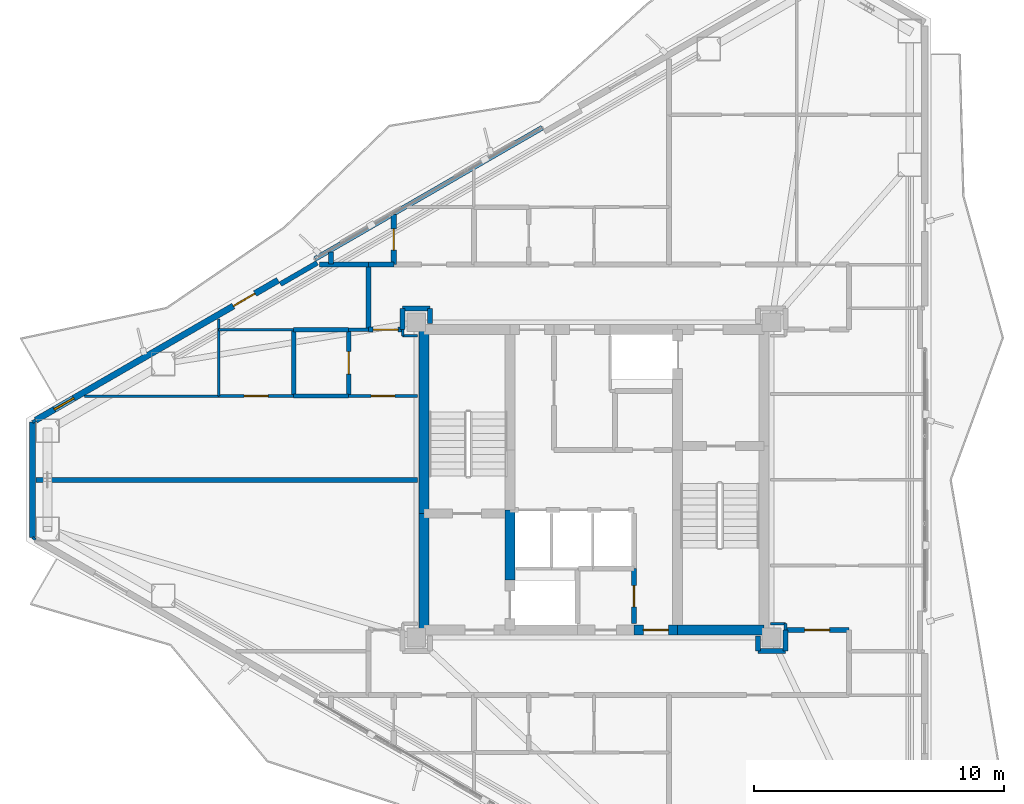
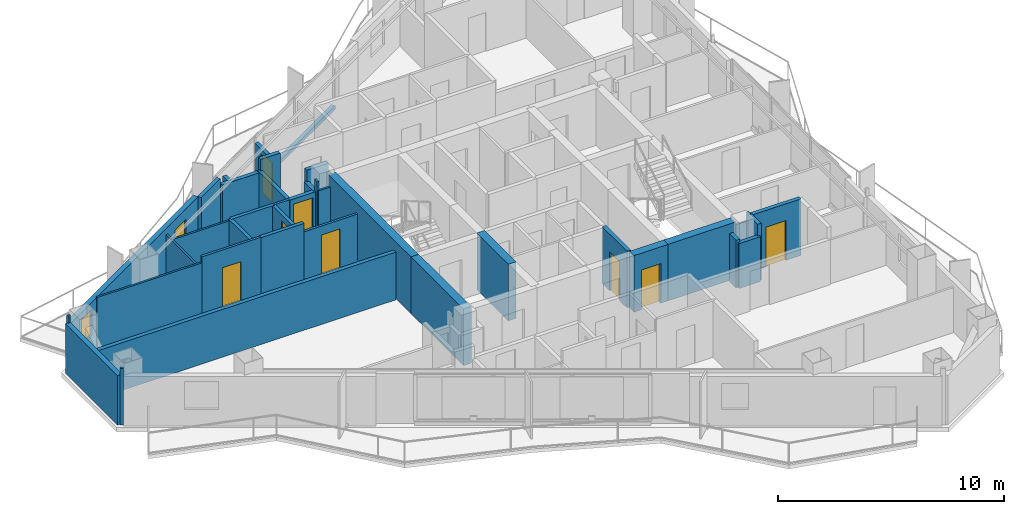
# One storey, part 13 of 18: 40 walls, 9 doors, 1 window, 10 openings.
"""IFC4 building model written with IfcOpenShell, lengths in metres."""

from ifc_helpers import new_model, si_unit, direction, frame, frame_2d, origin, place, context, subcontext, project, spatial, rectangle, extrude, material, layer, layer_set, type_object, element, fill, save


model = new_model("IFC4")

# Units and contexts
model_context = context("Model", 3, precision=1e-05, world=origin(), true_north=direction((0.0, 1.0)))
body_context = subcontext(model_context, "Body", "Model", "MODEL_VIEW")
ifc_project = project(units=[si_unit("LENGTHUNIT", "METRE"), si_unit("AREAUNIT", "SQUARE_METRE"), si_unit("VOLUMEUNIT", "CUBIC_METRE"), si_unit("PLANEANGLEUNIT", "RADIAN"), si_unit("MASSUNIT", "GRAM", prefix="KILO")], contexts=[model_context])

# Site, building, storey
site_placement = place(None, origin())
site = spatial("IfcSite", under=ifc_project, at=site_placement, CompositionType="ELEMENT")
building_placement = place(site_placement, origin())
building = spatial("IfcBuilding", under=site, at=building_placement, Name="Mersakhor Tower and Convention Hall", CompositionType="ELEMENT")
storey_placement = place(building_placement, frame((0.0, 0.0, 150.89990234375)))
storey = spatial("IfcBuildingStorey", under=building, at=storey_placement, Name="L42", CompositionType="ELEMENT", Elevation=150.89990234375)

# Wall
ifc_material_1 = material(Name="Precast concrete C40/50", Category="concrete")
ifc_layer_1 = layer(ifc_material_1, 0.25)
ifc_layer_set_1 = layer_set([ifc_layer_1], Name="Precast concrete C40/50")
wall_type_1 = type_object("IfcWallType", Name="WL-EXT-250", PredefinedType="SOLIDWALL", material=ifc_layer_set_1)
wall_1_placement = place(storey_placement, frame((6.560302734375, 24.44140625, 0.0), z_axis=(0.0, 0.0, 1.0), x_axis=(0.0, 1.0, 0.0)))
element("IfcWall", 1, at=wall_1_placement, inside=storey, type_object=wall_type_1, Name="L42 Chamfer Braced Spandrel Wall C3", PredefinedType="SOLIDWALL", context=body_context, shape_type="SweptSolid", body=[
    extrude(rectangle(XDim=4.6171875, YDim=0.25, at=frame_2d((2.30859375, 0.0))), origin(), (0.0, 0.0, 1.0), 2.68017578125),
])

# Wall, openings, door, window
wall_2_placement = place(storey_placement, frame((6.690185546875, 29.1337890625, 0.0), z_axis=(0.0, 0.0, 1.0), x_axis=(0.866027848477, 0.499995765644, 0.0)))
wall_2 = element("IfcWall", 2, at=wall_2_placement, inside=storey, type_object=wall_type_1, Name="L42 Exterior Facade Wall F1-B1", PredefinedType="SOLIDWALL", context=body_context, shape_type="SweptSolid", body=[
    extrude(rectangle(XDim=11.18603515625, YDim=0.25, at=frame_2d((5.593017578125, 0.0))), origin(), (0.0, 0.0, 1.0), 2.68017578125),
])
opening_1_placement = place(wall_2_placement, frame((9.1220703125, 0.0, 0.0)))
opening_1 = element("IfcOpeningElement", 3, at=opening_1_placement, cuts=wall_2, Name="Opening BD-01", PredefinedType="OPENING", context=body_context, shape_type="SweptSolid", body=[
    extrude(rectangle(XDim=1.0, YDim=2.10009765625, at=frame_2d((0.5, 1.050048828125))), frame((0.0, 0.135009765625, 0.0), z_axis=(0.0, -1.0, 0.0), x_axis=(1.0, 0.0, 0.0)), (0.0, 0.0, 1.0), 0.27001953125),
])
opening_2_placement = place(wall_2_placement, frame((0.860107421875, 0.0, 0.89990234375)))
opening_2 = element("IfcOpeningElement", 4, at=opening_2_placement, cuts=wall_2, Name="Opening W-06", PredefinedType="OPENING", context=body_context, shape_type="SweptSolid", body=[
    extrude(rectangle(XDim=0.89990234375, YDim=1.39990234375, at=frame_2d((0.449951171875, 0.699951171875))), frame((0.0, 0.135009765625, 0.0), z_axis=(0.0, -1.0, 0.0), x_axis=(1.0, 0.0, 0.0)), (0.0, 0.0, 1.0), 0.27001953125),
])
ifc_material_2 = material(Name="Thermally broken dark aluminium and safety glass", Category="aluminium")
door_type_1 = type_object("IfcDoorType", Name="DR-BAL-100x210", OperationType="NOTDEFINED", PredefinedType="DOOR", material=ifc_material_2)
door_1_placement = place(opening_1_placement, origin())
door_1 = element("IfcDoor", 5, at=door_1_placement, inside=storey, type_object=door_type_1, Name="L42 Balcony Terrace Door F1-B1", OperationType="SINGLE_SWING_LEFT", OverallHeight=2.10009765625, OverallWidth=1.0, PredefinedType="DOOR", context=body_context, shape_type="SweptSolid", body=[
    extrude(rectangle(XDim=1.0, YDim=2.10009765625, at=frame_2d((0.5, 1.050048828125))), frame((0.0, 0.02490234375, 0.0), z_axis=(0.0, -1.0, 0.0), x_axis=(1.0, 0.0, 0.0)), (0.0, 0.0, 1.0), 0.050048828125),
])
fill(opening_1, door_1)
ifc_material_3 = material(Name="Dark solar low-E glazed aluminium window", Category="aluminium")
window_type = type_object("IfcWindowType", Name="WN-STD-090x140", PartitioningType="SINGLE_PANEL", PredefinedType="WINDOW", material=ifc_material_3)
window_placement = place(opening_2_placement, origin())
window = element("IfcWindow", 6, at=window_placement, inside=storey, type_object=window_type, Name="L42 Bedroom Facade Window F1-B1-1", OverallHeight=1.39990234375, OverallWidth=0.89990234375, PartitioningType="SINGLE_PANEL", PredefinedType="WINDOW", context=body_context, shape_type="SweptSolid", body=[
    extrude(rectangle(XDim=0.89990234375, YDim=1.39990234375, at=frame_2d((0.449951171875, 0.699951171875))), frame((0.0, 0.030029296875, 0.0), z_axis=(0.0, -1.0, 0.0), x_axis=(1.0, 0.0, 0.0)), (0.0, 0.0, 1.0), 0.06005859375),
])
fill(opening_2, window)

# Walls
ifc_material_4 = material(Name="Precast concrete C40/50", Category="concrete")
ifc_layer_2 = layer(ifc_material_4, 0.199951171875)
ifc_layer_set_2 = layer_set([ifc_layer_2], Name="Precast concrete C40/50")
wall_type_2 = type_object("IfcWallType", Name="WL-PAR-200", PredefinedType="PARAPET", material=ifc_layer_set_2)
wall_3_placement = place(storey_placement, frame((17.849853515625, 35.57666015625, 0.0), z_axis=(0.0, 0.0, 1.0), x_axis=(0.866026619769, 0.499997893847, 0.0)))
element("IfcWall", 7, at=wall_3_placement, inside=storey, type_object=wall_type_2, Name="L42 Curtain Wall Upstand Sill F1-B2", PredefinedType="PARAPET", context=body_context, shape_type="SweptSolid", body=[
    extrude(rectangle(XDim=10.48583984375, YDim=0.199951171875, at=frame_2d((5.242919921875, 0.0))), origin(), (0.0, 0.0, 1.0), 0.2001953125),
])
wall_4_placement = place(storey_placement, frame((16.467529296875, 34.57080078125, 0.0), z_axis=(0.0, 0.0, 1.0), x_axis=(0.865989465428, 0.500062241894, 0.0)))
element("IfcWall", 8, at=wall_4_placement, inside=storey, type_object=wall_type_2, Name="L42 Column Pier Cladding Wall F1-C1", PredefinedType="PARAPET", context=body_context, shape_type="SweptSolid", body=[
    extrude(rectangle(XDim=1.699951171875, YDim=0.199951171875, at=frame_2d((0.85009765625, 0.0))), origin(), (0.0, 0.0, 1.0), 2.68017578125),
])

# Wall, opening, door
ifc_material_5 = material(Name="Moisture-resistant acoustic drywall studwork", Category="other")
ifc_layer_3 = layer(ifc_material_5, 0.175048828125)
ifc_layer_set_3 = layer_set([ifc_layer_3], Name="Moisture-resistant acoustic drywall studwork")
wall_type_3 = type_object("IfcWallType", Name="WL-PLM-175", PredefinedType="PLUMBINGWALL", material=ifc_layer_set_3)
wall_5_placement = place(storey_placement, frame((19.199951171875, 30.10009765625, 0.0), z_axis=(0.0, 0.0, 1.0), x_axis=(0.0, 1.0, 0.0)))
wall_5 = element("IfcWall", 9, at=wall_5_placement, inside=storey, type_object=wall_type_3, Name="L42 Interior Partition Wall P-060", PredefinedType="PLUMBINGWALL", context=body_context, shape_type="SweptSolid", body=[
    extrude(rectangle(XDim=2.64990234375, YDim=0.175048828125, at=frame_2d((1.324951171875, 0.0))), origin(), (0.0, 0.0, 1.0), 2.432861328125),
])
opening_3_placement = place(wall_5_placement, frame((0.875, 0.0, 0.0)))
opening_3 = element("IfcOpeningElement", 10, at=opening_3_placement, cuts=wall_5, Name="Opening WD-01", PredefinedType="OPENING", context=body_context, shape_type="SweptSolid", body=[
    extrude(rectangle(XDim=0.89990234375, YDim=2.10009765625, at=frame_2d((0.449951171875, 1.050048828125))), frame((0.0, 0.097412109375, 0.0), z_axis=(0.0, -1.0, 0.0), x_axis=(1.0, 0.0, 0.0)), (0.0, 0.0, 1.0), 0.195068359375),
])
ifc_material_6 = material(Name="Solid-core hardwood leaf in painted steel frame", Category="steel")
door_type_2 = type_object("IfcDoorType", Name="DR-INT-WET-090x210", OperationType="NOTDEFINED", PredefinedType="DOOR", material=ifc_material_6)
door_2_placement = place(opening_3_placement, origin())
door_2 = element("IfcDoor", 11, at=door_2_placement, inside=storey, type_object=door_type_2, Name="L42 L42 Flat W5 Apartment Hall to L42 Flat W5 Bathroom Door", OperationType="SINGLE_SWING_LEFT", OverallHeight=2.10009765625, OverallWidth=0.89990234375, PredefinedType="DOOR", context=body_context, shape_type="SweptSolid", body=[
    extrude(rectangle(XDim=0.89990234375, YDim=2.10009765625, at=frame_2d((0.449951171875, 1.050048828125))), frame((0.0, 0.02490234375, 0.0), z_axis=(0.0, -1.0, 0.0), x_axis=(1.0, 0.0, 0.0)), (0.0, 0.0, 1.0), 0.050048828125),
])
fill(opening_3, door_2)

# Walls
wall_6_placement = place(storey_placement, frame((17.0, 32.75, 0.0), z_axis=(0.0, 0.0, 1.0), x_axis=(1.0, 0.0, 0.0)))
element("IfcWall", 12, at=wall_6_placement, inside=storey, type_object=wall_type_3, Name="L42 Interior Partition Wall P-071", PredefinedType="PLUMBINGWALL", context=body_context, shape_type="SweptSolid", body=[
    extrude(rectangle(XDim=2.199951171875, YDim=0.175048828125, at=frame_2d((1.10009765625, 0.0))), origin(), (0.0, 0.0, 1.0), 2.432861328125),
])
wall_7_placement = place(storey_placement, frame((19.199951171875, 30.10009765625, 0.0), z_axis=(0.0, 0.0, 1.0), x_axis=(-1.0, 0.0, 0.0)))
element("IfcWall", 13, at=wall_7_placement, inside=storey, type_object=wall_type_3, Name="L42 Interior Partition Wall P-072", PredefinedType="PLUMBINGWALL", context=body_context, shape_type="SweptSolid", body=[
    extrude(rectangle(XDim=2.199951171875, YDim=0.175048828125, at=frame_2d((1.10009765625, 0.0))), origin(), (0.0, 0.0, 1.0), 3.06005859375),
])
wall_8_placement = place(storey_placement, frame((17.0, 30.10009765625, 0.0), z_axis=(0.0, 0.0, 1.0), x_axis=(0.0, 1.0, 0.0)))
element("IfcWall", 14, at=wall_8_placement, inside=storey, type_object=wall_type_3, Name="L42 Interior Partition Wall P-073", PredefinedType="PLUMBINGWALL", context=body_context, shape_type="SweptSolid", body=[
    extrude(rectangle(XDim=2.64990234375, YDim=0.175048828125, at=frame_2d((1.324951171875, 0.0))), origin(), (0.0, 0.0, 1.0), 2.432861328125),
])
ifc_material_7 = material(Name="Lightweight gypsum partition", Category="other")
ifc_layer_4 = layer(ifc_material_7, 0.10009765625)
ifc_layer_set_4 = layer_set([ifc_layer_4], Name="Lightweight gypsum partition")
wall_type_4 = type_object("IfcWallType", Name="WL-PRT-100", PredefinedType="PARTITIONING", material=ifc_layer_set_4)
wall_9_placement = place(storey_placement, frame((21.35009765625, 32.5, 0.0), z_axis=(0.0, 0.0, 1.0), x_axis=(1.0, 0.0, 0.0)))
element("IfcWall", 15, at=wall_9_placement, inside=storey, type_object=wall_type_4, Name="L42 Interior Partition Wall P-058", PredefinedType="PARTITIONING", context=body_context, shape_type="SweptSolid", body=[
    extrude(rectangle(XDim=0.599853515625, YDim=0.10009765625, at=frame_2d((0.2998046875, 0.0))), origin(), (0.0, 0.0, 1.0), 2.585205078125),
])
wall_10_placement = place(storey_placement, frame((21.35009765625, 32.75, 0.0), z_axis=(0.0, 0.0, 1.0), x_axis=(0.0, -1.0, 0.0)))
element("IfcWall", 16, at=wall_10_placement, inside=storey, type_object=wall_type_4, Name="L42 Interior Partition Wall P-062", PredefinedType="PARTITIONING", context=body_context, shape_type="SweptSolid", body=[
    extrude(rectangle(XDim=0.25, YDim=0.10009765625, at=frame_2d((0.125, 0.0))), origin(), (0.0, 0.0, 1.0), 3.06005859375),
])
wall_11_placement = place(storey_placement, frame((14.0, 32.75, 0.0), z_axis=(0.0, 0.0, 1.0), x_axis=(1.0, 0.0, 0.0)))
element("IfcWall", 17, at=wall_11_placement, inside=storey, type_object=wall_type_4, Name="L42 Interior Partition Wall P-074", PredefinedType="PARTITIONING", context=body_context, shape_type="SweptSolid", body=[
    extrude(rectangle(XDim=3.0, YDim=0.10009765625, at=frame_2d((1.5, 0.0))), origin(), (0.0, 0.0, 1.0), 2.364990234375),
])
wall_12_placement = place(storey_placement, frame((14.0, 30.10009765625, 0.0), z_axis=(0.0, 0.0, 1.0), x_axis=(0.0, 1.0, 0.0)))
element("IfcWall", 18, at=wall_12_placement, inside=storey, type_object=wall_type_4, Name="L42 Interior Partition Wall P-076", PredefinedType="PARTITIONING", context=body_context, shape_type="SweptSolid", body=[
    extrude(rectangle(XDim=3.081787109375, YDim=0.10009765625, at=frame_2d((1.541015625, 0.0))), origin(), (0.0, 0.0, 1.0), 2.364990234375),
])
wall_13_placement = place(storey_placement, frame((6.68994140625, 24.365966796875, 0.0), z_axis=(0.0, 0.0, 1.0), x_axis=(-0.866131372301, 0.499816412211, 0.0)))
element("IfcWall", 19, at=wall_13_placement, inside=storey, type_object=wall_type_4, Name="L42 Interior Partition Wall P-094", PredefinedType="PARTITIONING", context=body_context, shape_type="SweptSolid", body=[
    extrude(rectangle(XDim=0.14990234375, YDim=0.10009765625, at=frame_2d((0.074951171875, 0.0))), origin(), (0.0, 0.0, 1.0), 3.06005859375),
])
wall_14_placement = place(storey_placement, frame((36.64990234375, 21.0, 0.0), z_axis=(0.0, 0.0, 1.0), x_axis=(-1.0, 0.0, 0.0)))
element("IfcWall", 20, at=wall_14_placement, inside=storey, type_object=wall_type_4, Name="L42 Interior Partition Wall P-096", PredefinedType="PARTITIONING", context=body_context, shape_type="SweptSolid", body=[
    extrude(rectangle(XDim=0.599853515625, YDim=0.10009765625, at=frame_2d((0.2998046875, 0.0))), origin(), (0.0, 0.0, 1.0), 2.585205078125),
])
wall_15_placement = place(storey_placement, frame((8.634765625, 30.10009765625, 0.0), z_axis=(0.0, 0.0, 1.0), x_axis=(1.0, 0.0, 0.0)))
element("IfcWall", 21, at=wall_15_placement, inside=storey, type_object=wall_type_4, Name="L42 Interior Partition Wall P-116", PredefinedType="PARTITIONING", context=body_context, shape_type="SweptSolid", body=[
    extrude(rectangle(XDim=5.365234375, YDim=0.10009765625, at=frame_2d((2.6826171875, 0.0))), origin(), (0.0, 0.0, 1.0), 2.724609375),
])

# Wall, opening, door
ifc_material_8 = material(Name="Gypsum board acoustic partition", Category="other")
ifc_layer_5 = layer(ifc_material_8, 0.125)
ifc_layer_set_5 = layer_set([ifc_layer_5], Name="Gypsum board acoustic partition")
wall_type_5 = type_object("IfcWallType", Name="WL-PRT-125", PredefinedType="PARTITIONING", material=ifc_layer_set_5)
wall_16_placement = place(storey_placement, frame((21.949951171875, 30.10009765625, 0.0), z_axis=(0.0, 0.0, 1.0), x_axis=(-1.0, 0.0, 0.0)))
wall_16 = element("IfcWall", 22, at=wall_16_placement, inside=storey, type_object=wall_type_5, Name="L42 Interior Partition Wall P-059", PredefinedType="PARTITIONING", context=body_context, shape_type="SweptSolid", body=[
    extrude(rectangle(XDim=2.75, YDim=0.125, at=frame_2d((1.375, 0.0))), origin(), (0.0, 0.0, 1.0), 2.585205078125),
])
opening_4_placement = place(wall_16_placement, frame((0.89990234375, 0.0, 0.0)))
opening_4 = element("IfcOpeningElement", 23, at=opening_4_placement, cuts=wall_16, Name="Opening RD-01", PredefinedType="OPENING", context=body_context, shape_type="SweptSolid", body=[
    extrude(rectangle(XDim=0.949951171875, YDim=2.10009765625, at=frame_2d((0.47509765625, 1.050048828125))), frame((0.0, 0.072509765625, 0.0), z_axis=(0.0, -1.0, 0.0), x_axis=(1.0, 0.0, 0.0)), (0.0, 0.0, 1.0), 0.14501953125),
])
ifc_material_9 = material(Name="Solid-core hardwood leaf in painted steel frame", Category="steel")
door_type_3 = type_object("IfcDoorType", Name="DR-INT-RM-095x210", OperationType="NOTDEFINED", PredefinedType="DOOR", material=ifc_material_9)
door_3_placement = place(opening_4_placement, origin())
door_3 = element("IfcDoor", 24, at=door_3_placement, inside=storey, type_object=door_type_3, Name="L42 L42 Flat W5 Apartment Hall to L42 Flat W5 Studio Living and Sleeping Room Door", OperationType="SINGLE_SWING_RIGHT", OverallHeight=2.10009765625, OverallWidth=0.949951171875, PredefinedType="DOOR", context=body_context, shape_type="SweptSolid", body=[
    extrude(rectangle(XDim=0.949951171875, YDim=2.10009765625, at=frame_2d((0.47509765625, 1.050048828125))), frame((0.0, 0.02490234375, 0.0), z_axis=(0.0, -1.0, 0.0), x_axis=(1.0, 0.0, 0.0)), (0.0, 0.0, 1.0), 0.050048828125),
])
fill(opening_4, door_3)

# Wall
wall_17_placement = place(storey_placement, frame((19.199951171875, 32.75, 0.0), z_axis=(0.0, 0.0, 1.0), x_axis=(1.0, 0.0, 0.0)))
element("IfcWall", 25, at=wall_17_placement, inside=storey, type_object=wall_type_5, Name="L42 Interior Partition Wall P-061", PredefinedType="PARTITIONING", context=body_context, shape_type="SweptSolid", body=[
    extrude(rectangle(XDim=0.800048828125, YDim=0.125, at=frame_2d((0.39990234375, 0.0))), origin(), (0.0, 0.0, 1.0), 2.432861328125),
])

# Wall, opening, door
wall_18_placement = place(storey_placement, frame((17.0, 30.10009765625, 0.0), z_axis=(0.0, 0.0, 1.0), x_axis=(-1.0, 0.0, 0.0)))
wall_18 = element("IfcWall", 26, at=wall_18_placement, inside=storey, type_object=wall_type_5, Name="L42 Interior Partition Wall P-075", PredefinedType="PARTITIONING", context=body_context, shape_type="SweptSolid", body=[
    extrude(rectangle(XDim=3.0, YDim=0.125, at=frame_2d((1.5, 0.0))), origin(), (0.0, 0.0, 1.0), 3.06005859375),
])
opening_5_placement = place(wall_18_placement, frame((1.02490234375, 0.0, 0.0)))
opening_5 = element("IfcOpeningElement", 27, at=opening_5_placement, cuts=wall_18, Name="Opening RD-01", PredefinedType="OPENING", context=body_context, shape_type="SweptSolid", body=[
    extrude(rectangle(XDim=0.949951171875, YDim=2.10009765625, at=frame_2d((0.47509765625, 1.050048828125))), frame((0.0, 0.072509765625, 0.0), z_axis=(0.0, -1.0, 0.0), x_axis=(1.0, 0.0, 0.0)), (0.0, 0.0, 1.0), 0.14501953125),
])
door_4_placement = place(opening_5_placement, origin())
door_4 = element("IfcDoor", 28, at=door_4_placement, inside=storey, type_object=door_type_3, Name="L42 L42 Flat W5 Kitchen to L42 Flat W5 Studio Living and Sleeping Room Door", OperationType="SINGLE_SWING_LEFT", OverallHeight=2.10009765625, OverallWidth=0.949951171875, PredefinedType="DOOR", context=body_context, shape_type="SweptSolid", body=[
    extrude(rectangle(XDim=0.949951171875, YDim=2.10009765625, at=frame_2d((0.47509765625, 1.050048828125))), frame((0.0, 0.02490234375, 0.0), z_axis=(0.0, -1.0, 0.0), x_axis=(1.0, 0.0, 0.0)), (0.0, 0.0, 1.0), 0.050048828125),
])
fill(opening_5, door_4)

# Walls
wall_19_placement = place(storey_placement, frame((36.64990234375, 20.75, 0.0), z_axis=(0.0, 0.0, 1.0), x_axis=(0.0, 1.0, 0.0)))
element("IfcWall", 29, at=wall_19_placement, inside=storey, type_object=wall_type_5, Name="L42 Interior Partition Wall P-095", PredefinedType="PARTITIONING", context=body_context, shape_type="SweptSolid", body=[
    extrude(rectangle(XDim=0.25, YDim=0.125, at=frame_2d((0.125, 0.0))), origin(), (0.0, 0.0, 1.0), 3.06005859375),
])
wall_20_placement = place(storey_placement, frame((6.56005859375, 29.05908203125, 0.0), z_axis=(0.0, 0.0, 1.0), x_axis=(0.866131372301, 0.499816412211, 0.0)))
element("IfcWall", 30, at=wall_20_placement, inside=storey, type_object=wall_type_5, Name="L42 Interior Partition Wall P-117", PredefinedType="PARTITIONING", context=body_context, shape_type="SweptSolid", body=[
    extrude(rectangle(XDim=0.14990234375, YDim=0.125, at=frame_2d((0.074951171875, 0.0))), origin(), (0.0, 0.0, 1.0), 3.06005859375),
])

# Wall, opening, door
ifc_material_10 = material(Name="Acoustic concrete blockwork and gypsum board", Category="masonry")
ifc_layer_6 = layer(ifc_material_10, 0.199951171875)
ifc_layer_set_6 = layer_set([ifc_layer_6], Name="Acoustic concrete blockwork and gypsum board")
wall_type_6 = type_object("IfcWallType", Name="WL-PRT-200", PredefinedType="PARTITIONING", material=ifc_layer_set_6)
wall_21_placement = place(storey_placement, frame((30.60009765625, 21.0, 0.0), z_axis=(0.0, 0.0, 1.0), x_axis=(0.0, 1.0, 0.0)))
wall_21 = element("IfcWall", 31, at=wall_21_placement, inside=storey, type_object=wall_type_6, Name="L42 Interior Partition Wall P-012", PredefinedType="PARTITIONING", context=body_context, shape_type="SweptSolid", body=[
    extrude(rectangle(XDim=2.199951171875, YDim=0.199951171875, at=frame_2d((1.10009765625, 0.0))), origin(), (0.0, 0.0, 1.0), 3.06005859375),
])
opening_6_placement = place(wall_21_placement, frame((0.675048828125, 0.0, 0.0)))
opening_6 = element("IfcOpeningElement", 32, at=opening_6_placement, cuts=wall_21, Name="Opening SVD-01", PredefinedType="OPENING", context=body_context, shape_type="SweptSolid", body=[
    extrude(rectangle(XDim=0.85009765625, YDim=2.10009765625, at=frame_2d((0.425048828125, 1.050048828125))), frame((0.0, 0.10986328125, 0.0), z_axis=(0.0, -1.0, 0.0), x_axis=(1.0, 0.0, 0.0)), (0.0, 0.0, 1.0), 0.219970703125),
])
ifc_material_11 = material(Name="Fire-rated hardwood leaf and painted steel frame", Category="steel")
door_type_4 = type_object("IfcDoorType", Name="DR-INT-SVC-085x210", OperationType="NOTDEFINED", PredefinedType="DOOR", material=ifc_material_11)
door_5_placement = place(opening_6_placement, origin())
door_5 = element("IfcDoor", 33, at=door_5_placement, inside=storey, type_object=door_type_4, Name="L42 Central Passenger Lift Lobby to Electrical Switchroom Door", OperationType="SINGLE_SWING_LEFT", OverallHeight=2.10009765625, OverallWidth=0.85009765625, PredefinedType="DOOR", context=body_context, shape_type="SweptSolid", body=[
    extrude(rectangle(XDim=0.85009765625, YDim=2.10009765625, at=frame_2d((0.425048828125, 1.050048828125))), frame((0.0, 0.02490234375, 0.0), z_axis=(0.0, -1.0, 0.0), x_axis=(1.0, 0.0, 0.0)), (0.0, 0.0, 1.0), 0.050048828125),
])
fill(opening_6, door_5)

# Walls
wall_22_placement = place(storey_placement, frame((22.449951171875, 33.0, 0.0), z_axis=(0.0, 0.0, 1.0), x_axis=(0.0, 1.0, 0.0)))
element("IfcWall", 34, at=wall_22_placement, inside=storey, type_object=wall_type_6, Name="L42 Interior Partition Wall P-017", PredefinedType="PARTITIONING", context=body_context, shape_type="SweptSolid", body=[
    extrude(rectangle(XDim=0.60009765625, YDim=0.199951171875, at=frame_2d((0.300048828125, 0.0))), origin(), (0.0, 0.0, 1.0), 2.585205078125),
])
wall_23_placement = place(storey_placement, frame((22.449951171875, 33.60009765625, 0.0), z_axis=(0.0, 0.0, 1.0), x_axis=(-1.0, 0.0, 0.0)))
element("IfcWall", 35, at=wall_23_placement, inside=storey, type_object=wall_type_6, Name="L42 Interior Partition Wall P-018", PredefinedType="PARTITIONING", context=body_context, shape_type="SweptSolid", body=[
    extrude(rectangle(XDim=1.099853515625, YDim=0.199951171875, at=frame_2d((0.5498046875, 0.0))), origin(), (0.0, 0.0, 1.0), 3.06005859375),
])
wall_24_placement = place(storey_placement, frame((21.35009765625, 33.60009765625, 0.0), z_axis=(0.0, 0.0, 1.0), x_axis=(0.0, -1.0, 0.0)))
element("IfcWall", 36, at=wall_24_placement, inside=storey, type_object=wall_type_6, Name="L42 Interior Partition Wall P-019", PredefinedType="PARTITIONING", context=body_context, shape_type="SweptSolid", body=[
    extrude(rectangle(XDim=0.85009765625, YDim=0.199951171875, at=frame_2d((0.425048828125, 0.0))), origin(), (0.0, 0.0, 1.0), 2.432861328125),
])

# Wall, opening, door
wall_25_placement = place(storey_placement, frame((21.35009765625, 32.75, 0.0), z_axis=(0.0, 0.0, 1.0), x_axis=(-1.0, 0.0, 0.0)))
wall_25 = element("IfcWall", 37, at=wall_25_placement, inside=storey, type_object=wall_type_6, Name="L42 Interior Partition Wall P-020", PredefinedType="PARTITIONING", context=body_context, shape_type="SweptSolid", body=[
    extrude(rectangle(XDim=1.35009765625, YDim=0.199951171875, at=frame_2d((0.675048828125, 0.0))), origin(), (0.0, 0.0, 1.0), 2.432861328125),
])
opening_7_placement = place(wall_25_placement, frame((0.175048828125, 0.0, 0.0)))
opening_7 = element("IfcOpeningElement", 38, at=opening_7_placement, cuts=wall_25, Name="Opening FD-01", PredefinedType="OPENING", context=body_context, shape_type="SweptSolid", body=[
    extrude(rectangle(XDim=1.0, YDim=2.14990234375, at=frame_2d((0.5, 1.074951171875))), frame((0.0, 0.10986328125, 0.0), z_axis=(0.0, -1.0, 0.0), x_axis=(1.0, 0.0, 0.0)), (0.0, 0.0, 1.0), 0.219970703125),
])
ifc_material_12 = material(Name="Fire-rated hardwood leaf and painted steel frame", Category="steel")
door_type_5 = type_object("IfcDoorType", Name="DR-INT-FLT-100x215", OperationType="NOTDEFINED", PredefinedType="DOOR", material=ifc_material_12)
door_6_placement = place(opening_7_placement, origin())
door_6 = element("IfcDoor", 39, at=door_6_placement, inside=storey, type_object=door_type_5, Name="L42 Apartment Entrance Door (Residential North Gallery Corridor to L42 Flat W5 Apartment Hall)", OperationType="SINGLE_SWING_LEFT", OverallHeight=2.14990234375, OverallWidth=1.0, PredefinedType="DOOR", context=body_context, shape_type="SweptSolid", body=[
    extrude(rectangle(XDim=1.0, YDim=2.14990234375, at=frame_2d((0.5, 1.074951171875))), frame((0.0, 0.02490234375, 0.0), z_axis=(0.0, -1.0, 0.0), x_axis=(1.0, 0.0, 0.0)), (0.0, 0.0, 1.0), 0.050048828125),
])
fill(opening_7, door_6)

# Walls
wall_26_placement = place(storey_placement, frame((20.0, 32.75, 0.0), z_axis=(0.0, 0.0, 1.0), x_axis=(0.0, 1.0, 0.0)))
element("IfcWall", 40, at=wall_26_placement, inside=storey, type_object=wall_type_6, Name="L42 Interior Partition Wall P-021", PredefinedType="PARTITIONING", context=body_context, shape_type="SweptSolid", body=[
    extrude(rectangle(XDim=2.60009765625, YDim=0.199951171875, at=frame_2d((1.300048828125, 0.0))), origin(), (0.0, 0.0, 1.0), 2.432861328125),
])
wall_27_placement = place(storey_placement, frame((20.0, 35.35009765625, 0.0), z_axis=(0.0, 0.0, 1.0), x_axis=(1.0, 0.0, 0.0)))
element("IfcWall", 41, at=wall_27_placement, inside=storey, type_object=wall_type_6, Name="L42 Interior Partition Wall P-022", PredefinedType="PARTITIONING", context=body_context, shape_type="SweptSolid", body=[
    extrude(rectangle(XDim=1.0, YDim=0.199951171875, at=frame_2d((0.5, 0.0))), origin(), (0.0, 0.0, 1.0), 3.06005859375),
])
wall_28_placement = place(storey_placement, frame((35.550048828125, 20.5, 0.0), z_axis=(0.0, 0.0, 1.0), x_axis=(0.0, -1.0, 0.0)))
element("IfcWall", 42, at=wall_28_placement, inside=storey, type_object=wall_type_6, Name="L42 Interior Partition Wall P-035", PredefinedType="PARTITIONING", context=body_context, shape_type="SweptSolid", body=[
    extrude(rectangle(XDim=0.60009765625, YDim=0.199951171875, at=frame_2d((0.300048828125, 0.0))), origin(), (0.0, 0.0, 1.0), 2.585205078125),
])
wall_29_placement = place(storey_placement, frame((35.550048828125, 19.89990234375, 0.0), z_axis=(0.0, 0.0, 1.0), x_axis=(1.0, 0.0, 0.0)))
element("IfcWall", 43, at=wall_29_placement, inside=storey, type_object=wall_type_6, Name="L42 Interior Partition Wall P-036", PredefinedType="PARTITIONING", context=body_context, shape_type="SweptSolid", body=[
    extrude(rectangle(XDim=1.099853515625, YDim=0.199951171875, at=frame_2d((0.5498046875, 0.0))), origin(), (0.0, 0.0, 1.0), 2.432861328125),
])
wall_30_placement = place(storey_placement, frame((36.64990234375, 19.89990234375, 0.0), z_axis=(0.0, 0.0, 1.0), x_axis=(0.0, 1.0, 0.0)))
element("IfcWall", 44, at=wall_30_placement, inside=storey, type_object=wall_type_6, Name="L42 Interior Partition Wall P-037", PredefinedType="PARTITIONING", context=body_context, shape_type="SweptSolid", body=[
    extrude(rectangle(XDim=0.85009765625, YDim=0.199951171875, at=frame_2d((0.425048828125, 0.0))), origin(), (0.0, 0.0, 1.0), 3.06005859375),
])

# Wall, opening, door
wall_31_placement = place(storey_placement, frame((36.64990234375, 20.75, 0.0), z_axis=(0.0, 0.0, 1.0), x_axis=(1.0, 0.0, 0.0)))
wall_31 = element("IfcWall", 45, at=wall_31_placement, inside=storey, type_object=wall_type_6, Name="L42 Interior Partition Wall P-038", PredefinedType="PARTITIONING", context=body_context, shape_type="SweptSolid", body=[
    extrude(rectangle(XDim=2.550048828125, YDim=0.199951171875, at=frame_2d((1.27490234375, 0.0))), origin(), (0.0, 0.0, 1.0), 3.06005859375),
])
opening_8_placement = place(wall_31_placement, frame((0.77490234375, 0.0, 0.0)))
opening_8 = element("IfcOpeningElement", 46, at=opening_8_placement, cuts=wall_31, Name="Opening FD-01", PredefinedType="OPENING", context=body_context, shape_type="SweptSolid", body=[
    extrude(rectangle(XDim=1.0, YDim=2.14990234375, at=frame_2d((0.5, 1.074951171875))), frame((0.0, 0.10986328125, 0.0), z_axis=(0.0, -1.0, 0.0), x_axis=(1.0, 0.0, 0.0)), (0.0, 0.0, 1.0), 0.219970703125),
])
door_7_placement = place(opening_8_placement, origin())
door_7 = element("IfcDoor", 47, at=door_7_placement, inside=storey, type_object=door_type_5, Name="L42 Residential South Gallery Corridor to L42 East Wing Shared Study Room Door", OperationType="SINGLE_SWING_LEFT", OverallHeight=2.14990234375, OverallWidth=1.0, PredefinedType="DOOR", context=body_context, shape_type="SweptSolid", body=[
    extrude(rectangle(XDim=1.0, YDim=2.14990234375, at=frame_2d((0.5, 1.074951171875))), frame((0.0, 0.02490234375, 0.0), z_axis=(0.0, -1.0, 0.0), x_axis=(1.0, 0.0, 0.0)), (0.0, 0.0, 1.0), 0.050048828125),
])
fill(opening_8, door_7)

# Walls
wall_32_placement = place(storey_placement, frame((6.709228515625, 26.75, 0.0), z_axis=(0.0, 0.0, 1.0), x_axis=(1.0, 0.0, 0.0)))
element("IfcWall", 48, at=wall_32_placement, inside=storey, type_object=wall_type_6, Name="L42 Interior Partition Wall P-090", PredefinedType="PARTITIONING", context=body_context, shape_type="SweptSolid", body=[
    extrude(rectangle(XDim=15.24072265625, YDim=0.199951171875, at=frame_2d((7.620361328125, 0.0))), origin(), (0.0, 0.0, 1.0), 2.585205078125),
])
wall_33_placement = place(storey_placement, frame((20.0, 35.35009765625, 0.0), z_axis=(0.0, 0.0, 1.0), x_axis=(-1.0, 0.0, 0.0)))
element("IfcWall", 49, at=wall_33_placement, inside=storey, type_object=wall_type_6, Name="L42 Interior Partition Wall P-106", PredefinedType="PARTITIONING", context=body_context, shape_type="SweptSolid", body=[
    extrude(rectangle(XDim=1.95751953125, YDim=0.199951171875, at=frame_2d((0.978759765625, 0.0))), origin(), (0.0, 0.0, 1.0), 2.364990234375),
])
wall_34_placement = place(storey_placement, frame((18.5, 35.3798828125, 0.0), z_axis=(0.0, 0.0, 1.0), x_axis=(0.0, 1.0, 0.0)))
element("IfcWall", 50, at=wall_34_placement, inside=storey, type_object=wall_type_6, Name="L42 Interior Partition Wall P-107", PredefinedType="PARTITIONING", context=body_context, shape_type="SweptSolid", body=[
    extrude(rectangle(XDim=0.46826171875, YDim=0.199951171875, at=frame_2d((0.234130859375, 0.0))), origin(), (0.0, 0.0, 1.0), 2.364990234375),
])

# Wall, opening, door
wall_35_placement = place(storey_placement, frame((21.0, 37.3515625, 0.0), z_axis=(0.0, 0.0, 1.0), x_axis=(0.0, -1.0, 0.0)))
wall_35 = element("IfcWall", 51, at=wall_35_placement, inside=storey, type_object=wall_type_6, Name="L42 Interior Partition Wall P-108", PredefinedType="PARTITIONING", context=body_context, shape_type="SweptSolid", body=[
    extrude(rectangle(XDim=2.00146484375, YDim=0.199951171875, at=frame_2d((1.000732421875, 0.0))), origin(), (0.0, 0.0, 1.0), 2.364990234375),
])
opening_9_placement = place(wall_35_placement, frame((0.57568359375, 0.0, 0.0)))
opening_9 = element("IfcOpeningElement", 52, at=opening_9_placement, cuts=wall_35, Name="Opening SVD-01", PredefinedType="OPENING", context=body_context, shape_type="SweptSolid", body=[
    extrude(rectangle(XDim=0.85009765625, YDim=2.10009765625, at=frame_2d((0.425048828125, 1.050048828125))), frame((0.0, 0.10986328125, 0.0), z_axis=(0.0, -1.0, 0.0), x_axis=(1.0, 0.0, 0.0)), (0.0, 0.0, 1.0), 0.219970703125),
])
door_8_placement = place(opening_9_placement, origin())
door_8 = element("IfcDoor", 53, at=door_8_placement, inside=storey, type_object=door_type_4, Name="L42 L42 Floor Household Store Room 1-1 to L42 Floor Shared Tea Pantry 1-2 Door", OperationType="SINGLE_SWING_LEFT", OverallHeight=2.10009765625, OverallWidth=0.85009765625, PredefinedType="DOOR", context=body_context, shape_type="SweptSolid", body=[
    extrude(rectangle(XDim=0.85009765625, YDim=2.10009765625, at=frame_2d((0.425048828125, 1.050048828125))), frame((0.0, 0.02490234375, 0.0), z_axis=(0.0, -1.0, 0.0), x_axis=(1.0, 0.0, 0.0)), (0.0, 0.0, 1.0), 0.050048828125),
])
fill(opening_9, door_8)

# Walls
ifc_material_13 = material(Name="Concrete C60/75", Category="concrete")
ifc_layer_7 = layer(ifc_material_13, 0.39990234375)
ifc_layer_set_7 = layer_set([ifc_layer_7], Name="Concrete C60/75")
wall_type_7 = type_object("IfcWallType", Name="WL-SHR-400", PredefinedType="SHEAR", material=ifc_layer_set_7)
wall_36_placement = place(storey_placement, frame((22.199951171875, 20.75, 0.0), z_axis=(0.0, 0.0, 1.0), x_axis=(0.0, 1.0, 0.0)))
element("IfcWall", 54, at=wall_36_placement, inside=storey, type_object=wall_type_7, Name="L42 Core Wall CW-W1", PredefinedType="SHEAR", context=body_context, shape_type="SweptSolid", body=[
    extrude(rectangle(XDim=4.64990234375, YDim=0.39990234375, at=frame_2d((2.324951171875, 0.0))), origin(), (0.0, 0.0, 1.0), 3.06005859375),
])
wall_37_placement = place(storey_placement, frame((22.199951171875, 25.39990234375, 0.0), z_axis=(0.0, 0.0, 1.0), x_axis=(0.0, 1.0, 0.0)))
element("IfcWall", 55, at=wall_37_placement, inside=storey, type_object=wall_type_7, Name="L42 Core Wall CW-W2", PredefinedType="SHEAR", context=body_context, shape_type="SweptSolid", body=[
    extrude(rectangle(XDim=7.35009765625, YDim=0.39990234375, at=frame_2d((3.675048828125, 0.0))), origin(), (0.0, 0.0, 1.0), 3.06005859375),
])
wall_38_placement = place(storey_placement, frame((35.800048828125, 20.75, 0.0), z_axis=(0.0, 0.0, 1.0), x_axis=(-1.0, 0.0, 0.0)))
element("IfcWall", 56, at=wall_38_placement, inside=storey, type_object=wall_type_7, Name="L42 Core Wall CW-S1", PredefinedType="SHEAR", context=body_context, shape_type="SweptSolid", body=[
    extrude(rectangle(XDim=3.449951171875, YDim=0.39990234375, at=frame_2d((1.72509765625, 0.0))), origin(), (0.0, 0.0, 1.0), 3.06005859375),
])

# Wall, opening, door
wall_39_placement = place(storey_placement, frame((32.35009765625, 20.75, 0.0), z_axis=(0.0, 0.0, 1.0), x_axis=(-1.0, 0.0, 0.0)))
wall_39 = element("IfcWall", 57, at=wall_39_placement, inside=storey, type_object=wall_type_7, Name="L42 Core Wall CW-S2A", PredefinedType="SHEAR", context=body_context, shape_type="SweptSolid", body=[
    extrude(rectangle(XDim=1.75, YDim=0.39990234375, at=frame_2d((0.875, 0.0))), origin(), (0.0, 0.0, 1.0), 3.06005859375),
])
opening_10_placement = place(wall_39_placement, frame((0.375, 0.0, 0.0)))
opening_10 = element("IfcOpeningElement", 58, at=opening_10_placement, cuts=wall_39, Name="Opening CFD-01", PredefinedType="OPENING", context=body_context, shape_type="SweptSolid", body=[
    extrude(rectangle(XDim=1.0, YDim=2.14990234375, at=frame_2d((0.5, 1.074951171875))), frame((0.0, 0.2099609375, 0.0), z_axis=(0.0, -1.0, 0.0), x_axis=(1.0, 0.0, 0.0)), (0.0, 0.0, 1.0), 0.419921875),
])
ifc_material_14 = material(Name="Fire-rated hardwood leaf and painted steel frame", Category="steel")
door_type_6 = type_object("IfcDoorType", Name="DR-CORE-FD-100x215", OperationType="NOTDEFINED", PredefinedType="DOOR", material=ifc_material_14)
door_9_placement = place(opening_10_placement, origin())
door_9 = element("IfcDoor", 59, at=door_9_placement, inside=storey, type_object=door_type_6, Name="L42 Lift Lobby South Corridor Door", OperationType="SINGLE_SWING_RIGHT", OverallHeight=2.14990234375, OverallWidth=1.0, PredefinedType="DOOR", context=body_context, shape_type="SweptSolid", body=[
    extrude(rectangle(XDim=1.0, YDim=2.14990234375, at=frame_2d((0.5, 1.074951171875))), frame((0.0, 0.02490234375, 0.0), z_axis=(0.0, -1.0, 0.0), x_axis=(1.0, 0.0, 0.0)), (0.0, 0.0, 1.0), 0.050048828125),
])
fill(opening_10, door_9)

# Wall
wall_40_placement = place(storey_placement, frame((25.64990234375, 22.75, 0.0), z_axis=(0.0, 0.0, 1.0), x_axis=(0.0, 1.0, 0.0)))
element("IfcWall", 60, at=wall_40_placement, inside=storey, type_object=wall_type_7, Name="L42 Core Wall CS-W-MID", PredefinedType="SHEAR", context=body_context, shape_type="SweptSolid", body=[
    extrude(rectangle(XDim=2.800048828125, YDim=0.39990234375, at=frame_2d((1.39990234375, 0.0))), origin(), (0.0, 0.0, 1.0), 3.06005859375),
])

save(model, "model.ifc")
